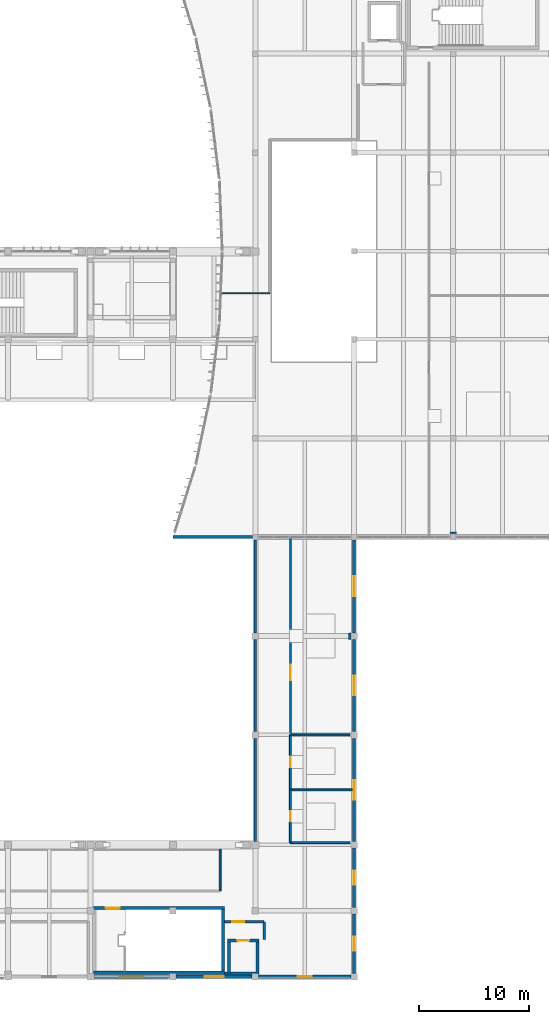
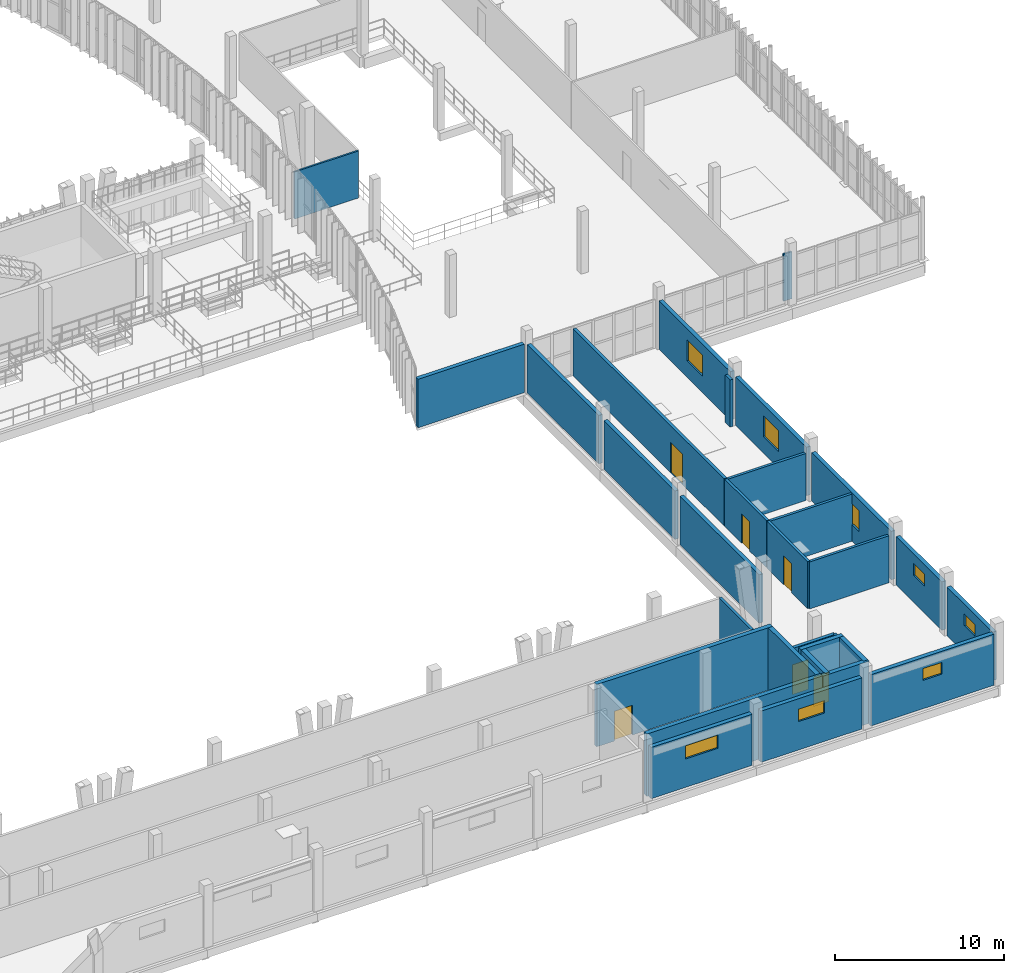
# One storey, part 58 of 81: 31 walls, 8 windows, 6 doors, 14 openings.
"""IFC4 building model written with IfcOpenShell, lengths in metres."""

from ifc_helpers import new_model, si_unit, direction, frame, frame_2d, origin, place, context, subcontext, project, spatial, rectangle, extrude, material, layer, layer_set, type_object, element, fill, save


model = new_model("IFC4")

# Units and contexts
model_context = context("Model", 3, precision=1e-05, world=origin(), true_north=direction((0.0, 1.0)))
body_context = subcontext(model_context, "Body", "Model", "MODEL_VIEW")
ifc_project = project(units=[si_unit("LENGTHUNIT", "METRE"), si_unit("AREAUNIT", "SQUARE_METRE"), si_unit("VOLUMEUNIT", "CUBIC_METRE"), si_unit("PLANEANGLEUNIT", "RADIAN"), si_unit("MASSUNIT", "GRAM", prefix="KILO")], contexts=[model_context])

# Site, building, storey
site_placement = place(None, origin())
site = spatial("IfcSite", under=ifc_project, at=site_placement, CompositionType="ELEMENT")
building_placement = place(site_placement, origin())
building = spatial("IfcBuilding", under=site, at=building_placement, Name="Vourika Railside Aquatics Centre", CompositionType="ELEMENT")
storey_placement = place(building_placement, frame((0.0, 0.0, 4.800048828125)))
storey = spatial("IfcBuildingStorey", under=building, at=storey_placement, Name="L01", CompositionType="ELEMENT", Elevation=4.800048828125)

# Wall
ifc_material_1 = material(Name="Concrete C40/50", Category="concrete")
ifc_layer_1 = layer(ifc_material_1, 0.300048828125, Name="WL-CORE")
ifc_layer_set_1 = layer_set([ifc_layer_1], Name="Concrete C40/50")
wall_type_1 = type_object("IfcWallType", Name="WL-CORE", PredefinedType="SHEAR", material=ifc_layer_set_1)
wall_1_placement = place(storey_placement, frame((138.199951171875, 0.35009765625, 0.0), z_axis=(0.0, 0.0, 1.0), x_axis=(-1.0, 0.0, 0.0)))
element("IfcWall", 1, at=wall_1_placement, inside=storey, type_object=wall_type_1, Name="Protected Exit Stair Core ST06 South Wall (L01)", PredefinedType="SHEAR", context=body_context, shape_type="SweptSolid", body=[
    extrude(rectangle(XDim=12.0, YDim=0.300048828125, at=frame_2d((6.0, 0.0))), origin(), (0.0, 0.0, 1.0), 4.5),
])

# Wall, opening, door
wall_2_placement = place(storey_placement, frame((138.199951171875, 6.25, 0.0), z_axis=(0.0, 0.0, 1.0), x_axis=(-1.0, 0.0, 0.0)))
wall_2 = element("IfcWall", 2, at=wall_2_placement, inside=storey, type_object=wall_type_1, Name="Protected Exit Stair Core ST06 North Wall (L01)", PredefinedType="SHEAR", context=body_context, shape_type="SweptSolid", body=[
    extrude(rectangle(XDim=12.0, YDim=0.300048828125, at=frame_2d((6.0, 0.0))), origin(), (0.0, 0.0, 1.0), 4.5),
])
opening_1_placement = place(wall_2_placement, frame((9.550048828125, 0.0, 0.0)))
opening_1 = element("IfcOpeningElement", 3, at=opening_1_placement, cuts=wall_2, Name="Opening DF02", PredefinedType="OPENING", context=body_context, shape_type="SweptSolid", body=[
    extrude(rectangle(XDim=1.25, YDim=2.14990234375, at=frame_2d((0.625, 1.074951171875))), frame((0.0, 0.16015625, 0.0), z_axis=(0.0, -1.0, 0.0), x_axis=(1.0, 0.0, 0.0)), (0.0, 0.0, 1.0), 0.320068359375),
])
ifc_material_2 = material(Name="Fire-rated wide exit stair door")
door_type_1 = type_object("IfcDoorType", Name="DR-FD60-125", OperationType="NOTDEFINED", PredefinedType="DOOR", material=ifc_material_2)
door_1_placement = place(opening_1_placement, origin())
door_1 = element("IfcDoor", 4, at=door_1_placement, inside=storey, type_object=door_type_1, Name="Protected Exit Stair Core ST06 Enclosure Fire Door (L01)", OperationType="SINGLE_SWING_LEFT", OverallHeight=2.14990234375, OverallWidth=1.25, PredefinedType="DOOR", context=body_context, shape_type="SweptSolid", body=[
    extrude(rectangle(XDim=1.25, YDim=2.14990234375, at=frame_2d((0.625, 1.074951171875))), frame((0.0, 0.02490234375, 0.0), z_axis=(0.0, -1.0, 0.0), x_axis=(1.0, 0.0, 0.0)), (0.0, 0.0, 1.0), 0.050048828125),
])
fill(opening_1, door_1)

# Walls
wall_3_placement = place(storey_placement, frame((138.050048828125, 0.5, 0.0), z_axis=(0.0, 0.0, 1.0), x_axis=(0.0, 1.0, 0.0)))
element("IfcWall", 5, at=wall_3_placement, inside=storey, type_object=wall_type_1, Name="Protected Exit Stair Core ST06 East Wall (L01)", PredefinedType="SHEAR", context=body_context, shape_type="SweptSolid", body=[
    extrude(rectangle(XDim=5.60009765625, YDim=0.300048828125, at=frame_2d((2.800048828125, 0.0))), origin(), (0.0, 0.0, 1.0), 4.5),
])
wall_4_placement = place(storey_placement, frame((138.199951171875, 0.300048828125, 0.0), z_axis=(0.0, 0.0, 1.0), x_axis=(1.0, 0.0, 0.0)))
element("IfcWall", 6, at=wall_4_placement, inside=storey, type_object=wall_type_1, Name="Lift LP03 Shaft South Wall (L01)", PredefinedType="SHEAR", context=body_context, shape_type="SweptSolid", body=[
    extrude(rectangle(XDim=3.150146484375, YDim=0.300048828125, at=frame_2d((1.5751953125, 0.0))), origin(), (0.0, 0.0, 1.0), 4.5),
])

# Wall, opening, door
wall_5_placement = place(storey_placement, frame((141.35009765625, 3.300048828125, 0.0), z_axis=(0.0, 0.0, 1.0), x_axis=(-1.0, 0.0, 0.0)))
wall_5 = element("IfcWall", 7, at=wall_5_placement, inside=storey, type_object=wall_type_1, Name="Lift LP03 Shaft North Wall (L01)", PredefinedType="SHEAR", context=body_context, shape_type="SweptSolid", body=[
    extrude(rectangle(XDim=2.900146484375, YDim=0.300048828125, at=frame_2d((1.4501953125, 0.0))), origin(), (0.0, 0.0, 1.0), 4.5),
])
opening_2_placement = place(wall_5_placement, frame((0.925048828125, 0.0, 0.0)))
opening_2 = element("IfcOpeningElement", 8, at=opening_2_placement, cuts=wall_5, Name="Opening LD02", PredefinedType="OPENING", context=body_context, shape_type="SweptSolid", body=[
    extrude(rectangle(XDim=1.050048828125, YDim=2.14990234375, at=frame_2d((0.52490234375, 1.074951171875))), frame((0.0, 0.16015625, 0.0), z_axis=(0.0, -1.0, 0.0), x_axis=(1.0, 0.0, 0.0)), (0.0, 0.0, 1.0), 0.320068359375),
])
ifc_material_3 = material(Name="Stainless passenger lift landing door")
door_type_2 = type_object("IfcDoorType", Name="DR-LIFT-LD2", OperationType="DOUBLE_DOOR_SLIDING", PredefinedType="DOOR", material=ifc_material_3)
door_2_placement = place(opening_2_placement, origin())
door_2 = element("IfcDoor", 9, at=door_2_placement, inside=storey, type_object=door_type_2, Name="Lift LP03 Sliding Landing Door (L01)", OperationType="DOUBLE_DOOR_SLIDING", OverallHeight=2.14990234375, OverallWidth=1.050048828125, PredefinedType="DOOR", context=body_context, shape_type="SweptSolid", body=[
    extrude(rectangle(XDim=1.050048828125, YDim=2.14990234375, at=frame_2d((0.52490234375, 1.074951171875))), frame((0.0, 0.02490234375, 0.0), z_axis=(0.0, -1.0, 0.0), x_axis=(1.0, 0.0, 0.0)), (0.0, 0.0, 1.0), 0.050048828125),
])
fill(opening_2, door_2)

# Walls
for number, where, z_axis, x_axis, name in (
    (10, (138.60009765625, 3.300048828125, 0.0), (0.0, 0.0, 1.0), (0.0, -1.0, 0.0), "Lift LP03 Shaft West Wall (L01)"),
    (11, (141.199951171875, 0.300048828125, 0.0), (0.0, 0.0, 1.0), (0.0, 1.0, 0.0), "Lift LP03 Shaft East Wall (L01)"),
):
    element("IfcWall", number, at=place(storey_placement, frame(where, z_axis=z_axis, x_axis=x_axis)), inside=storey, type_object=wall_type_1, Name=name, PredefinedType="SHEAR", context=body_context, shape_type="SweptSolid", body=[
        extrude(rectangle(XDim=3.0, YDim=0.300048828125, at=frame_2d((1.5, 0.0))), origin(), (0.0, 0.0, 1.0), 4.5),
    ])
ifc_material_4 = material(Name="Precast concrete C40/50", Category="concrete")
ifc_layer_2 = layer(ifc_material_4, 0.25, Name="WL-EXT-250")
ifc_layer_set_2 = layer_set([ifc_layer_2], Name="Precast concrete C40/50")
wall_type_2 = type_object("IfcWallType", Name="WL-EXT-250", PredefinedType="SOLIDWALL", material=ifc_layer_set_2)
wall_6_placement = place(storey_placement, frame((141.0, 21.699951171875, 0.0), z_axis=(0.0, 0.0, 1.0), x_axis=(0.0, -1.0, 0.0)))
element("IfcWall", 12, at=wall_6_placement, inside=storey, type_object=wall_type_2, Name="Changing East Wing Poolside Wall L01-3", PredefinedType="SOLIDWALL", context=body_context, shape_type="SweptSolid", body=[
    extrude(rectangle(XDim=9.375, YDim=0.25, at=frame_2d((4.6875, 0.0))), origin(), (0.0, 0.0, 1.0), 3.5),
])
wall_7_placement = place(storey_placement, frame((141.0, 30.699951171875, 0.0), z_axis=(0.0, 0.0, 1.0), x_axis=(0.0, -1.0, 0.0)))
element("IfcWall", 13, at=wall_7_placement, inside=storey, type_object=wall_type_2, Name="Changing East Wing Poolside Wall L01-4", PredefinedType="SOLIDWALL", context=body_context, shape_type="SweptSolid", body=[
    extrude(rectangle(XDim=8.39990234375, YDim=0.25, at=frame_2d((4.199951171875, 0.0))), origin(), (0.0, 0.0, 1.0), 3.5),
])
wall_8_placement = place(storey_placement, frame((141.0, 39.75, 0.0), z_axis=(0.0, 0.0, 1.0), x_axis=(0.0, -1.0, 0.0)))
element("IfcWall", 14, at=wall_8_placement, inside=storey, type_object=wall_type_2, Name="Changing East Wing Poolside Wall L01-5", PredefinedType="SOLIDWALL", context=body_context, shape_type="SweptSolid", body=[
    extrude(rectangle(XDim=8.449951171875, YDim=0.25, at=frame_2d((4.22509765625, 0.0))), origin(), (0.0, 0.0, 1.0), 3.5),
])
ifc_layer_3 = layer(ifc_material_4, 0.27001953125, Name="WL-EXT-270")
ifc_layer_set_3 = layer_set([ifc_layer_3], Name="Precast concrete C40/50")
wall_type_3 = type_object("IfcWallType", Name="WL-EXT-270", PredefinedType="SOLIDWALL", material=ifc_layer_set_3)
wall_9_placement = place(storey_placement, frame((133.5, 40.0, 0.0), z_axis=(0.0, 0.0, 1.0), x_axis=(1.0, 0.0, 0.0)))
element("IfcWall", 15, at=wall_9_placement, inside=storey, type_object=wall_type_3, Name="Foyer South Return Wall L01", PredefinedType="SOLIDWALL", context=body_context, shape_type="SweptSolid", body=[
    extrude(rectangle(XDim=7.25, YDim=0.27001953125, at=frame_2d((3.625, 0.0))), origin(), (0.0, 0.0, 1.0), 3.5),
])

# Wall, opening, window
wall_10_placement = place(storey_placement, frame((150.0, 0.300048828125, 0.0), z_axis=(0.0, 0.0, 1.0), x_axis=(0.0, 1.0, 0.0)))
wall_10 = element("IfcWall", 16, at=wall_10_placement, inside=storey, type_object=wall_type_3, Name="Changing East Precast Wall L01-1", PredefinedType="SOLIDWALL", context=body_context, shape_type="SweptSolid", body=[
    extrude(rectangle(XDim=5.39990234375, YDim=0.27001953125, at=frame_2d((2.699951171875, 0.0))), origin(), (0.0, 0.0, 1.0), 3.5),
])
opening_3_placement = place(wall_10_placement, frame((2.050048828125, 0.0, 1.949951171875)))
opening_3 = element("IfcOpeningElement", 17, at=opening_3_placement, cuts=wall_10, Name="Opening W19", PredefinedType="OPENING", context=body_context, shape_type="SweptSolid", body=[
    extrude(rectangle(XDim=1.300048828125, YDim=0.85009765625, at=frame_2d((0.64990234375, 0.425048828125))), frame((0.0, 0.14501953125, 0.0), z_axis=(0.0, -1.0, 0.0), x_axis=(1.0, 0.0, 0.0)), (0.0, 0.0, 1.0), 0.2900390625),
])
ifc_material_5 = material(Name="Laminated solar-control glass", Category="glass")
window_type_1 = type_object("IfcWindowType", Name="WN-CHG-130x085", PartitioningType="SINGLE_PANEL", PredefinedType="WINDOW", material=ifc_material_5)
window_1_placement = place(opening_3_placement, origin())
window_1 = element("IfcWindow", 18, at=window_1_placement, inside=storey, type_object=window_type_1, Name="Changing East Clerestory Window L01-1", OverallHeight=0.85009765625, OverallWidth=1.300048828125, PartitioningType="SINGLE_PANEL", PredefinedType="WINDOW", context=body_context, shape_type="SweptSolid", body=[
    extrude(rectangle(XDim=1.300048828125, YDim=0.85009765625, at=frame_2d((0.64990234375, 0.425048828125))), frame((0.0, 0.030029296875, 0.0), z_axis=(0.0, -1.0, 0.0), x_axis=(1.0, 0.0, 0.0)), (0.0, 0.0, 1.0), 0.06005859375),
])
fill(opening_3, window_1)

wall_11_placement = place(storey_placement, frame((150.0, 6.300048828125, 0.0), z_axis=(0.0, 0.0, 1.0), x_axis=(0.0, 1.0, 0.0)))
wall_11 = element("IfcWall", 19, at=wall_11_placement, inside=storey, type_object=wall_type_3, Name="Changing East Precast Wall L01-2", PredefinedType="SOLIDWALL", context=body_context, shape_type="SweptSolid", body=[
    extrude(rectangle(XDim=5.39990234375, YDim=0.27001953125, at=frame_2d((2.699951171875, 0.0))), origin(), (0.0, 0.0, 1.0), 3.5),
])
opening_4_placement = place(wall_11_placement, frame((2.050048828125, 0.0, 1.949951171875)))
opening_4 = element("IfcOpeningElement", 20, at=opening_4_placement, cuts=wall_11, Name="Opening W19", PredefinedType="OPENING", context=body_context, shape_type="SweptSolid", body=[
    extrude(rectangle(XDim=1.300048828125, YDim=0.85009765625, at=frame_2d((0.64990234375, 0.425048828125))), frame((0.0, 0.14501953125, 0.0), z_axis=(0.0, -1.0, 0.0), x_axis=(1.0, 0.0, 0.0)), (0.0, 0.0, 1.0), 0.2900390625),
])
window_2_placement = place(opening_4_placement, origin())
window_2 = element("IfcWindow", 21, at=window_2_placement, inside=storey, type_object=window_type_1, Name="Changing East Clerestory Window L01-2", OverallHeight=0.85009765625, OverallWidth=1.300048828125, PartitioningType="SINGLE_PANEL", PredefinedType="WINDOW", context=body_context, shape_type="SweptSolid", body=[
    extrude(rectangle(XDim=1.300048828125, YDim=0.85009765625, at=frame_2d((0.64990234375, 0.425048828125))), frame((0.0, 0.030029296875, 0.0), z_axis=(0.0, -1.0, 0.0), x_axis=(1.0, 0.0, 0.0)), (0.0, 0.0, 1.0), 0.06005859375),
])
fill(opening_4, window_2)

wall_12_placement = place(storey_placement, frame((150.0, 12.300048828125, 0.0), z_axis=(0.0, 0.0, 1.0), x_axis=(0.0, 1.0, 0.0)))
wall_12 = element("IfcWall", 22, at=wall_12_placement, inside=storey, type_object=wall_type_3, Name="Changing East Precast Wall L01-3", PredefinedType="SOLIDWALL", context=body_context, shape_type="SweptSolid", body=[
    extrude(rectangle(XDim=9.39990234375, YDim=0.27001953125, at=frame_2d((4.699951171875, 0.0))), origin(), (0.0, 0.0, 1.0), 3.5),
])
opening_5_placement = place(wall_12_placement, frame((3.800048828125, 0.0, 1.199951171875)))
opening_5 = element("IfcOpeningElement", 23, at=opening_5_placement, cuts=wall_12, Name="Opening W08", PredefinedType="OPENING", context=body_context, shape_type="SweptSolid", body=[
    extrude(rectangle(XDim=1.800048828125, YDim=1.5, at=frame_2d((0.89990234375, 0.75))), frame((0.0, 0.14501953125, 0.0), z_axis=(0.0, -1.0, 0.0), x_axis=(1.0, 0.0, 0.0)), (0.0, 0.0, 1.0), 0.2900390625),
])
window_type_2 = type_object("IfcWindowType", Name="WN-CLN-180x150", PartitioningType="SINGLE_PANEL", PredefinedType="WINDOW", material=ifc_material_5)
window_3_placement = place(opening_5_placement, origin())
window_3 = element("IfcWindow", 24, at=window_3_placement, inside=storey, type_object=window_type_2, Name="Changing East Clerestory Window L01-3", OverallHeight=1.5, OverallWidth=1.800048828125, PartitioningType="SINGLE_PANEL", PredefinedType="WINDOW", context=body_context, shape_type="SweptSolid", body=[
    extrude(rectangle(XDim=1.800048828125, YDim=1.5, at=frame_2d((0.89990234375, 0.75))), frame((0.0, 0.030029296875, 0.0), z_axis=(0.0, -1.0, 0.0), x_axis=(1.0, 0.0, 0.0)), (0.0, 0.0, 1.0), 0.06005859375),
])
fill(opening_5, window_3)

wall_13_placement = place(storey_placement, frame((150.0, 22.300048828125, 0.0), z_axis=(0.0, 0.0, 1.0), x_axis=(0.0, 1.0, 0.0)))
wall_13 = element("IfcWall", 25, at=wall_13_placement, inside=storey, type_object=wall_type_3, Name="Changing East Precast Wall L01-4", PredefinedType="SOLIDWALL", context=body_context, shape_type="SweptSolid", body=[
    extrude(rectangle(XDim=8.39990234375, YDim=0.27001953125, at=frame_2d((4.199951171875, 0.0))), origin(), (0.0, 0.0, 1.0), 3.5),
])
opening_6_placement = place(wall_13_placement, frame((3.300048828125, 0.0, 1.199951171875)))
opening_6 = element("IfcOpeningElement", 26, at=opening_6_placement, cuts=wall_13, Name="Opening W08", PredefinedType="OPENING", context=body_context, shape_type="SweptSolid", body=[
    extrude(rectangle(XDim=1.800048828125, YDim=1.5, at=frame_2d((0.89990234375, 0.75))), frame((0.0, 0.14501953125, 0.0), z_axis=(0.0, -1.0, 0.0), x_axis=(1.0, 0.0, 0.0)), (0.0, 0.0, 1.0), 0.2900390625),
])
window_4_placement = place(opening_6_placement, origin())
window_4 = element("IfcWindow", 27, at=window_4_placement, inside=storey, type_object=window_type_2, Name="Changing East Clerestory Window L01-4", OverallHeight=1.5, OverallWidth=1.800048828125, PartitioningType="SINGLE_PANEL", PredefinedType="WINDOW", context=body_context, shape_type="SweptSolid", body=[
    extrude(rectangle(XDim=1.800048828125, YDim=1.5, at=frame_2d((0.89990234375, 0.75))), frame((0.0, 0.030029296875, 0.0), z_axis=(0.0, -1.0, 0.0), x_axis=(1.0, 0.0, 0.0)), (0.0, 0.0, 1.0), 0.06005859375),
])
fill(opening_6, window_4)

wall_14_placement = place(storey_placement, frame((150.0, 31.300048828125, 0.0), z_axis=(0.0, 0.0, 1.0), x_axis=(0.0, 1.0, 0.0)))
wall_14 = element("IfcWall", 28, at=wall_14_placement, inside=storey, type_object=wall_type_3, Name="Changing East Precast Wall L01-5", PredefinedType="SOLIDWALL", context=body_context, shape_type="SweptSolid", body=[
    extrude(rectangle(XDim=8.449951171875, YDim=0.27001953125, at=frame_2d((4.22509765625, 0.0))), origin(), (0.0, 0.0, 1.0), 3.5),
])
opening_7_placement = place(wall_14_placement, frame((3.324951171875, 0.0, 1.199951171875)))
opening_7 = element("IfcOpeningElement", 29, at=opening_7_placement, cuts=wall_14, Name="Opening W08", PredefinedType="OPENING", context=body_context, shape_type="SweptSolid", body=[
    extrude(rectangle(XDim=1.800048828125, YDim=1.5, at=frame_2d((0.89990234375, 0.75))), frame((0.0, 0.14501953125, 0.0), z_axis=(0.0, -1.0, 0.0), x_axis=(1.0, 0.0, 0.0)), (0.0, 0.0, 1.0), 0.2900390625),
])
window_5_placement = place(opening_7_placement, origin())
window_5 = element("IfcWindow", 30, at=window_5_placement, inside=storey, type_object=window_type_2, Name="Changing East Clerestory Window L01-5", OverallHeight=1.5, OverallWidth=1.800048828125, PartitioningType="SINGLE_PANEL", PredefinedType="WINDOW", context=body_context, shape_type="SweptSolid", body=[
    extrude(rectangle(XDim=1.800048828125, YDim=1.5, at=frame_2d((0.89990234375, 0.75))), frame((0.0, 0.030029296875, 0.0), z_axis=(0.0, -1.0, 0.0), x_axis=(1.0, 0.0, 0.0)), (0.0, 0.0, 1.0), 0.06005859375),
])
fill(opening_7, window_5)

ifc_layer_4 = layer(ifc_material_4, 0.2900390625, Name="WL-EXT-290")
ifc_layer_set_4 = layer_set([ifc_layer_4], Name="Precast concrete C40/50")
wall_type_4 = type_object("IfcWallType", Name="WL-EXT-290", PredefinedType="SOLIDWALL", material=ifc_layer_set_4)
wall_15_placement = place(storey_placement, frame((126.300048828125, 0.0, 0.0), z_axis=(0.0, 0.0, 1.0), x_axis=(1.0, 0.0, 0.0)))
wall_15 = element("IfcWall", 31, at=wall_15_placement, inside=storey, type_object=wall_type_4, Name="Changing Village South Precast Wall L01-13", PredefinedType="SOLIDWALL", context=body_context, shape_type="SweptSolid", body=[
    extrude(rectangle(XDim=6.89990234375, YDim=0.2900390625, at=frame_2d((3.449951171875, 0.0))), origin(), (0.0, 0.0, 1.0), 3.699951171875),
])
opening_8_placement = place(wall_15_placement, frame((2.35009765625, 0.0, 2.050048828125)))
opening_8 = element("IfcOpeningElement", 32, at=opening_8_placement, cuts=wall_15, Name="Opening W17", PredefinedType="OPENING", context=body_context, shape_type="SweptSolid", body=[
    extrude(rectangle(XDim=2.199951171875, YDim=0.949951171875, at=frame_2d((1.10009765625, 0.47509765625))), frame((0.0, 0.155029296875, 0.0), z_axis=(0.0, -1.0, 0.0), x_axis=(1.0, 0.0, 0.0)), (0.0, 0.0, 1.0), 0.31005859375),
])
window_type_3 = type_object("IfcWindowType", Name="WN-CHG-220x095", PartitioningType="DOUBLE_PANEL_HORIZONTAL", PredefinedType="WINDOW", material=ifc_material_5)
window_6_placement = place(opening_8_placement, origin())
window_6 = element("IfcWindow", 33, at=window_6_placement, inside=storey, type_object=window_type_3, Name="Changing High-Level Privacy Window L01-13", OverallHeight=0.949951171875, OverallWidth=2.199951171875, PartitioningType="SINGLE_PANEL", PredefinedType="WINDOW", context=body_context, shape_type="SweptSolid", body=[
    extrude(rectangle(XDim=2.199951171875, YDim=0.949951171875, at=frame_2d((1.10009765625, 0.47509765625))), frame((0.0, 0.030029296875, 0.0), z_axis=(0.0, -1.0, 0.0), x_axis=(1.0, 0.0, 0.0)), (0.0, 0.0, 1.0), 0.06005859375),
])
fill(opening_8, window_6)

wall_16_placement = place(storey_placement, frame((133.800048828125, 0.0, 0.0), z_axis=(0.0, 0.0, 1.0), x_axis=(1.0, 0.0, 0.0)))
wall_16 = element("IfcWall", 34, at=wall_16_placement, inside=storey, type_object=wall_type_4, Name="Changing Village South Precast Wall L01-14", PredefinedType="SOLIDWALL", context=body_context, shape_type="SweptSolid", body=[
    extrude(rectangle(XDim=6.89990234375, YDim=0.2900390625, at=frame_2d((3.449951171875, 0.0))), origin(), (0.0, 0.0, 1.0), 3.699951171875),
])
opening_9_placement = place(wall_16_placement, frame((2.574951171875, 0.0, 2.050048828125)))
opening_9 = element("IfcOpeningElement", 35, at=opening_9_placement, cuts=wall_16, Name="Opening W18", PredefinedType="OPENING", context=body_context, shape_type="SweptSolid", body=[
    extrude(rectangle(XDim=1.75, YDim=0.89990234375, at=frame_2d((0.875, 0.449951171875))), frame((0.0, 0.155029296875, 0.0), z_axis=(0.0, -1.0, 0.0), x_axis=(1.0, 0.0, 0.0)), (0.0, 0.0, 1.0), 0.31005859375),
])
window_type_4 = type_object("IfcWindowType", Name="WN-CHG-175x090", PartitioningType="DOUBLE_PANEL_HORIZONTAL", PredefinedType="WINDOW", material=ifc_material_5)
window_7_placement = place(opening_9_placement, origin())
window_7 = element("IfcWindow", 36, at=window_7_placement, inside=storey, type_object=window_type_4, Name="Changing High-Level Privacy Window L01-14", OverallHeight=0.89990234375, OverallWidth=1.75, PartitioningType="SINGLE_PANEL", PredefinedType="WINDOW", context=body_context, shape_type="SweptSolid", body=[
    extrude(rectangle(XDim=1.75, YDim=0.89990234375, at=frame_2d((0.875, 0.449951171875))), frame((0.0, 0.030029296875, 0.0), z_axis=(0.0, -1.0, 0.0), x_axis=(1.0, 0.0, 0.0)), (0.0, 0.0, 1.0), 0.06005859375),
])
fill(opening_9, window_7)

wall_17_placement = place(storey_placement, frame((141.300048828125, 0.0, 0.0), z_axis=(0.0, 0.0, 1.0), x_axis=(1.0, 0.0, 0.0)))
wall_17 = element("IfcWall", 37, at=wall_17_placement, inside=storey, type_object=wall_type_4, Name="Changing Village South Precast Wall L01-15", PredefinedType="SOLIDWALL", context=body_context, shape_type="SweptSolid", body=[
    extrude(rectangle(XDim=8.39990234375, YDim=0.2900390625, at=frame_2d((4.199951171875, 0.0))), origin(), (0.0, 0.0, 1.0), 3.699951171875),
])
opening_10_placement = place(wall_17_placement, frame((3.550048828125, 0.0, 2.050048828125)))
opening_10 = element("IfcOpeningElement", 38, at=opening_10_placement, cuts=wall_17, Name="Opening W19", PredefinedType="OPENING", context=body_context, shape_type="SweptSolid", body=[
    extrude(rectangle(XDim=1.300048828125, YDim=0.85009765625, at=frame_2d((0.64990234375, 0.425048828125))), frame((0.0, 0.155029296875, 0.0), z_axis=(0.0, -1.0, 0.0), x_axis=(1.0, 0.0, 0.0)), (0.0, 0.0, 1.0), 0.31005859375),
])
window_8_placement = place(opening_10_placement, origin())
window_8 = element("IfcWindow", 39, at=window_8_placement, inside=storey, type_object=window_type_1, Name="Changing High-Level Privacy Window L01-15", OverallHeight=0.85009765625, OverallWidth=1.300048828125, PartitioningType="SINGLE_PANEL", PredefinedType="WINDOW", context=body_context, shape_type="SweptSolid", body=[
    extrude(rectangle(XDim=1.300048828125, YDim=0.85009765625, at=frame_2d((0.64990234375, 0.425048828125))), frame((0.0, 0.030029296875, 0.0), z_axis=(0.0, -1.0, 0.0), x_axis=(1.0, 0.0, 0.0)), (0.0, 0.0, 1.0), 0.06005859375),
])
fill(opening_10, window_8)

# Wall, opening, door
ifc_material_6 = material(Name="Concrete C35/45", Category="concrete")
ifc_layer_5 = layer(ifc_material_6, 0.219970703125, Name="WL-FIRE")
ifc_layer_set_5 = layer_set([ifc_layer_5], Name="Concrete C35/45")
wall_type_5 = type_object("IfcWallType", Name="WL-FIRE", PredefinedType="SOLIDWALL", material=ifc_layer_set_5)
wall_18_placement = place(storey_placement, frame((138.199951171875, 5.0, 0.0), z_axis=(0.0, 0.0, 1.0), x_axis=(1.0, 0.0, 0.0)))
wall_18 = element("IfcWall", 40, at=wall_18_placement, inside=storey, type_object=wall_type_5, Name="Lift LP03 Lobby Corridor Fire Wall (L01)", PredefinedType="SOLIDWALL", context=body_context, shape_type="SweptSolid", body=[
    extrude(rectangle(XDim=3.60009765625, YDim=0.219970703125, at=frame_2d((1.800048828125, 0.0))), origin(), (0.0, 0.0, 1.0), 3.39990234375),
])
opening_11_placement = place(wall_18_placement, frame((0.699951171875, 0.0, 0.0)))
opening_11 = element("IfcOpeningElement", 41, at=opening_11_placement, cuts=wall_18, Name="Opening DF01", PredefinedType="OPENING", context=body_context, shape_type="SweptSolid", body=[
    extrude(rectangle(XDim=1.10009765625, YDim=2.14990234375, at=frame_2d((0.550048828125, 1.074951171875))), frame((0.0, 0.1201171875, 0.0), z_axis=(0.0, -1.0, 0.0), x_axis=(1.0, 0.0, 0.0)), (0.0, 0.0, 1.0), 0.239990234375),
])
ifc_material_7 = material(Name="Fire-rated steel and timber core door", Category="steel")
door_type_3 = type_object("IfcDoorType", Name="DR-FD60", OperationType="NOTDEFINED", PredefinedType="DOOR", material=ifc_material_7)
door_3_placement = place(opening_11_placement, origin())
door_3 = element("IfcDoor", 42, at=door_3_placement, inside=storey, type_object=door_type_3, Name="Lift LP03 Lobby Fire Door (L01)", OperationType="SINGLE_SWING_RIGHT", OverallHeight=2.14990234375, OverallWidth=1.10009765625, PredefinedType="DOOR", context=body_context, shape_type="SweptSolid", body=[
    extrude(rectangle(XDim=1.10009765625, YDim=2.14990234375, at=frame_2d((0.550048828125, 1.074951171875))), frame((0.0, 0.02490234375, 0.0), z_axis=(0.0, -1.0, 0.0), x_axis=(1.0, 0.0, 0.0)), (0.0, 0.0, 1.0), 0.050048828125),
])
fill(opening_11, door_3)

# Walls
wall_19_placement = place(storey_placement, frame((141.800048828125, 3.39990234375, 0.0), z_axis=(0.0, 0.0, 1.0), x_axis=(0.0, 1.0, 0.0)))
element("IfcWall", 43, at=wall_19_placement, inside=storey, type_object=wall_type_5, Name="Lift LP03 Lobby East Fire Wall (L01)", PredefinedType="SOLIDWALL", context=body_context, shape_type="SweptSolid", body=[
    extrude(rectangle(XDim=1.60009765625, YDim=0.219970703125, at=frame_2d((0.800048828125, 0.0))), origin(), (0.0, 0.0, 1.0), 3.39990234375),
])
ifc_material_8 = material(Name="Lightweight drylining partition")
ifc_layer_6 = layer(ifc_material_8, 0.1201171875, Name="WL-PART-120")
ifc_layer_set_6 = layer_set([ifc_layer_6], Name="Lightweight drylining partition")
wall_type_6 = type_object("IfcWallType", Name="WL-PART-120", PredefinedType="PARTITIONING", material=ifc_layer_set_6)
wall_20_placement = place(storey_placement, frame((159.280029296875, 40.39990234375, 0.0), z_axis=(0.0, 0.0, 1.0), x_axis=(-1.0, 0.0, 0.0)))
element("IfcWall", 44, at=wall_20_placement, inside=storey, type_object=wall_type_6, Name="Aquatic Heritage Exhibition Gallery Partition 2", PredefinedType="PARTITIONING", context=body_context, shape_type="SweptSolid", body=[
    extrude(rectangle(XDim=0.56005859375, YDim=0.1201171875, at=frame_2d((0.280029296875, 0.0))), origin(), (0.0, 0.0, 1.0), 3.39990234375),
])
wall_21_placement = place(storey_placement, frame((142.300048828125, 62.199951171875, 0.0), z_axis=(0.0, 0.0, 1.0), x_axis=(-1.0, 0.0, 0.0)))
element("IfcWall", 45, at=wall_21_placement, inside=storey, type_object=wall_type_6, Name="VIP Hospitality Lounge and Terrace Bar Partition 3", PredefinedType="PARTITIONING", context=body_context, shape_type="SweptSolid", body=[
    extrude(rectangle(XDim=4.3740234375, YDim=0.1201171875, at=frame_2d((2.18701171875, 0.0))), origin(), (0.0, 0.0, 1.0), 3.39990234375),
])

# Wall, opening, door
ifc_material_9 = material(Name="Moisture-resistant wet-village blockwork", Category="masonry")
ifc_layer_7 = layer(ifc_material_9, 0.179931640625, Name="WL-PART-180")
ifc_layer_set_7 = layer_set([ifc_layer_7], Name="Moisture-resistant wet-village blockwork")
wall_type_7 = type_object("IfcWallType", Name="WL-PART-180", PredefinedType="PARTITIONING", material=ifc_layer_set_7)
wall_22_placement = place(storey_placement, frame((144.199951171875, 12.199951171875, 0.0), z_axis=(0.0, 0.0, 1.0), x_axis=(0.0, 1.0, 0.0)))
wall_22 = element("IfcWall", 46, at=wall_22_placement, inside=storey, type_object=wall_type_7, Name="Spectator Concourse Male WC Partition 1", PredefinedType="PARTITIONING", context=body_context, shape_type="SweptSolid", body=[
    extrude(rectangle(XDim=4.800048828125, YDim=0.179931640625, at=frame_2d((2.39990234375, 0.0))), origin(), (0.0, 0.0, 1.0), 3.39990234375),
])
opening_12_placement = place(wall_22_placement, frame((1.925048828125, 0.0, 0.0)))
opening_12 = element("IfcOpeningElement", 47, at=opening_12_placement, cuts=wall_22, Name="Opening DW01", PredefinedType="OPENING", context=body_context, shape_type="SweptSolid", body=[
    extrude(rectangle(XDim=0.949951171875, YDim=2.10009765625, at=frame_2d((0.47509765625, 1.050048828125))), frame((0.0, 0.10009765625, 0.0), z_axis=(0.0, -1.0, 0.0), x_axis=(1.0, 0.0, 0.0)), (0.0, 0.0, 1.0), 0.199951171875),
])
ifc_material_10 = material(Name="Moisture-resistant HPL washroom door")
door_type_4 = type_object("IfcDoorType", Name="DR-WC-950", OperationType="NOTDEFINED", PredefinedType="DOOR", material=ifc_material_10)
door_4_placement = place(opening_12_placement, origin())
door_4 = element("IfcDoor", 48, at=door_4_placement, inside=storey, type_object=door_type_4, Name="Spectator Concourse Male WC Door", OperationType="SINGLE_SWING_LEFT", OverallHeight=2.10009765625, OverallWidth=0.949951171875, PredefinedType="DOOR", context=body_context, shape_type="SweptSolid", body=[
    extrude(rectangle(XDim=0.949951171875, YDim=2.10009765625, at=frame_2d((0.47509765625, 1.050048828125))), frame((0.0, 0.02490234375, 0.0), z_axis=(0.0, -1.0, 0.0), x_axis=(1.0, 0.0, 0.0)), (0.0, 0.0, 1.0), 0.050048828125),
])
fill(opening_12, door_4)

# Walls
wall_23_placement = place(storey_placement, frame((149.60009765625, 12.199951171875, 0.0), z_axis=(0.0, 0.0, 1.0), x_axis=(-1.0, 0.0, 0.0)))
element("IfcWall", 49, at=wall_23_placement, inside=storey, type_object=wall_type_7, Name="Spectator Concourse Male WC Partition 2", PredefinedType="PARTITIONING", context=body_context, shape_type="SweptSolid", body=[
    extrude(rectangle(XDim=5.400146484375, YDim=0.179931640625, at=frame_2d((2.7001953125, 0.0))), origin(), (0.0, 0.0, 1.0), 3.39990234375),
])
wall_24_placement = place(storey_placement, frame((144.199951171875, 17.0, 0.0), z_axis=(0.0, 0.0, 1.0), x_axis=(1.0, 0.0, 0.0)))
element("IfcWall", 50, at=wall_24_placement, inside=storey, type_object=wall_type_7, Name="Spectator Concourse Male WC Partition 3", PredefinedType="PARTITIONING", context=body_context, shape_type="SweptSolid", body=[
    extrude(rectangle(XDim=5.68505859375, YDim=0.179931640625, at=frame_2d((2.842529296875, 0.0))), origin(), (0.0, 0.0, 1.0), 3.39990234375),
])

# Wall, opening, door
wall_25_placement = place(storey_placement, frame((144.199951171875, 17.070068359375, 0.0), z_axis=(0.0, 0.0, 1.0), x_axis=(0.0, 1.0, 0.0)))
wall_25 = element("IfcWall", 51, at=wall_25_placement, inside=storey, type_object=wall_type_7, Name="Spectator Concourse Female WC Partition 1", PredefinedType="PARTITIONING", context=body_context, shape_type="SweptSolid", body=[
    extrude(rectangle(XDim=4.929931640625, YDim=0.179931640625, at=frame_2d((2.46484375, 0.0))), origin(), (0.0, 0.0, 1.0), 3.39990234375),
])
opening_13_placement = place(wall_25_placement, frame((1.989990234375, 0.0, 0.0)))
opening_13 = element("IfcOpeningElement", 52, at=opening_13_placement, cuts=wall_25, Name="Opening DW01", PredefinedType="OPENING", context=body_context, shape_type="SweptSolid", body=[
    extrude(rectangle(XDim=0.949951171875, YDim=2.10009765625, at=frame_2d((0.47509765625, 1.050048828125))), frame((0.0, 0.10009765625, 0.0), z_axis=(0.0, -1.0, 0.0), x_axis=(1.0, 0.0, 0.0)), (0.0, 0.0, 1.0), 0.199951171875),
])
door_5_placement = place(opening_13_placement, origin())
door_5 = element("IfcDoor", 53, at=door_5_placement, inside=storey, type_object=door_type_4, Name="Spectator Concourse Female WC Door", OperationType="SINGLE_SWING_RIGHT", OverallHeight=2.10009765625, OverallWidth=0.949951171875, PredefinedType="DOOR", context=body_context, shape_type="SweptSolid", body=[
    extrude(rectangle(XDim=0.949951171875, YDim=2.10009765625, at=frame_2d((0.47509765625, 1.050048828125))), frame((0.0, 0.02490234375, 0.0), z_axis=(0.0, -1.0, 0.0), x_axis=(1.0, 0.0, 0.0)), (0.0, 0.0, 1.0), 0.050048828125),
])
fill(opening_13, door_5)

# Walls
wall_26_placement = place(storey_placement, frame((144.199951171875, 22.0, 0.0), z_axis=(0.0, 0.0, 1.0), x_axis=(1.0, 0.0, 0.0)))
element("IfcWall", 54, at=wall_26_placement, inside=storey, type_object=wall_type_7, Name="Spectator Concourse Female WC Partition 2", PredefinedType="PARTITIONING", context=body_context, shape_type="SweptSolid", body=[
    extrude(rectangle(XDim=5.400146484375, YDim=0.179931640625, at=frame_2d((2.7001953125, 0.0))), origin(), (0.0, 0.0, 1.0), 3.39990234375),
])
wall_27_placement = place(storey_placement, frame((137.800048828125, 11.60009765625, 0.0), z_axis=(0.0, 0.0, 1.0), x_axis=(0.0, -1.0, 0.0)))
element("IfcWall", 55, at=wall_27_placement, inside=storey, type_object=wall_type_7, Name="Championship Officials and Timekeepers Changing Suite East Partition 3", PredefinedType="PARTITIONING", context=body_context, shape_type="SweptSolid", body=[
    extrude(rectangle(XDim=3.800048828125, YDim=0.179931640625, at=frame_2d((1.89990234375, 0.0))), origin(), (0.0, 0.0, 1.0), 3.39990234375),
])

# Wall, opening, door
ifc_material_11 = material(Name="Acoustic masonry blockwork", Category="masonry")
ifc_layer_8 = layer(ifc_material_11, 0.199951171875, Name="WL-PART-200")
ifc_layer_set_8 = layer_set([ifc_layer_8], Name="Acoustic masonry blockwork")
wall_type_8 = type_object("IfcWallType", Name="WL-PART-200", PredefinedType="PARTITIONING", material=ifc_layer_set_8)
wall_28_placement = place(storey_placement, frame((144.199951171875, 22.070068359375, 0.0), z_axis=(0.0, 0.0, 1.0), x_axis=(0.0, 1.0, 0.0)))
wall_28 = element("IfcWall", 56, at=wall_28_placement, inside=storey, type_object=wall_type_8, Name="Lane Rope and Timing Pad Store Partition 1", PredefinedType="PARTITIONING", context=body_context, shape_type="SweptSolid", body=[
    extrude(rectangle(XDim=17.85888671875, YDim=0.199951171875, at=frame_2d((8.929443359375, 0.0))), origin(), (0.0, 0.0, 1.0), 3.39990234375),
])
opening_14_placement = place(wall_28_placement, frame((4.929443359375, 0.0, 0.0)))
opening_14 = element("IfcOpeningElement", 57, at=opening_14_placement, cuts=wall_28, Name="Opening DP01", PredefinedType="OPENING", context=body_context, shape_type="SweptSolid", body=[
    extrude(rectangle(XDim=1.39990234375, YDim=2.199951171875, at=frame_2d((0.699951171875, 1.10009765625))), frame((0.0, 0.10986328125, 0.0), z_axis=(0.0, -1.0, 0.0), x_axis=(1.0, 0.0, 0.0)), (0.0, 0.0, 1.0), 0.219970703125),
])
ifc_material_12 = material(Name="Fire-rated plant room double door")
door_type_5 = type_object("IfcDoorType", Name="DR-PLT-1400D", OperationType="DOUBLE_DOOR_SINGLE_SWING", PredefinedType="DOOR", material=ifc_material_12)
door_6_placement = place(opening_14_placement, origin())
door_6 = element("IfcDoor", 58, at=door_6_placement, inside=storey, type_object=door_type_5, Name="Lane Rope and Timing Pad Store Door", OperationType="DOUBLE_DOOR_SINGLE_SWING", OverallHeight=2.199951171875, OverallWidth=1.39990234375, PredefinedType="DOOR", context=body_context, shape_type="SweptSolid", body=[
    extrude(rectangle(XDim=1.39990234375, YDim=2.199951171875, at=frame_2d((0.699951171875, 1.10009765625))), frame((0.0, 0.02490234375, 0.0), z_axis=(0.0, -1.0, 0.0), x_axis=(1.0, 0.0, 0.0)), (0.0, 0.0, 1.0), 0.050048828125),
])
fill(opening_14, door_6)

# Wall
wall_29_placement = place(storey_placement, frame((149.60009765625, 31.300048828125, 0.0), z_axis=(0.0, 0.0, 1.0), x_axis=(0.0, -1.0, 0.0)))
element("IfcWall", 59, at=wall_29_placement, inside=storey, type_object=wall_type_8, Name="Lane Rope and Timing Pad Store Partition 3", PredefinedType="PARTITIONING", context=body_context, shape_type="SweptSolid", body=[
    extrude(rectangle(XDim=0.60009765625, YDim=0.199951171875, at=frame_2d((0.300048828125, 0.0))), origin(), (0.0, 0.0, 1.0), 3.39990234375),
])

save(model, "model.ifc")
